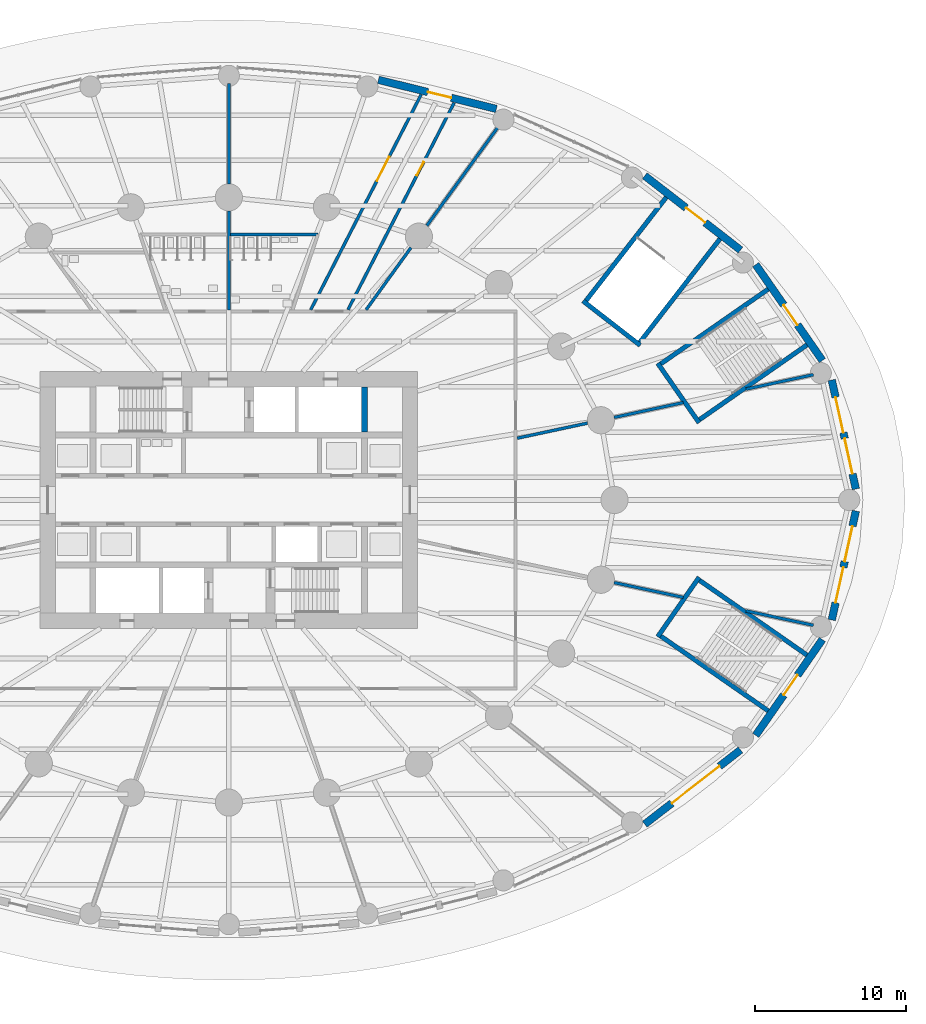
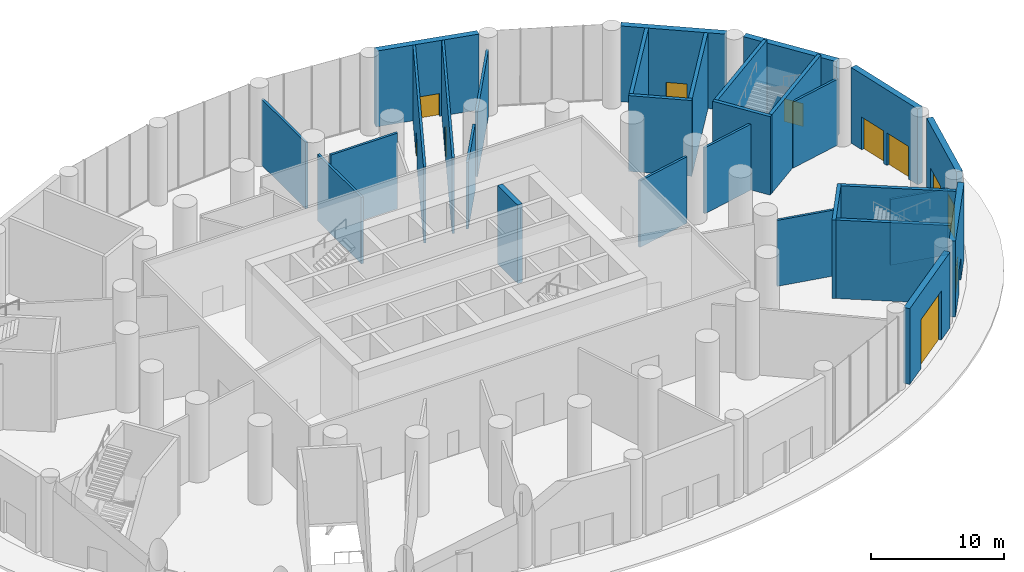
# One storey, part 17 of 22: 29 walls, 11 doors, 11 openings.
"""IFC4 building model written with IfcOpenShell, lengths in metres."""

from ifc_helpers import new_model, si_unit, direction, frame, frame_2d, origin, place, context, subcontext, project, spatial, rectangle, extrude, material, layer, layer_set, type_object, element, fill, save


model = new_model("IFC4")

# Units and contexts
model_context = context("Model", 3, precision=1e-05, world=origin(), true_north=direction((0.0, 1.0)))
body_context = subcontext(model_context, "Body", "Model", "MODEL_VIEW")
ifc_project = project(units=[si_unit("LENGTHUNIT", "METRE"), si_unit("AREAUNIT", "SQUARE_METRE"), si_unit("VOLUMEUNIT", "CUBIC_METRE"), si_unit("PLANEANGLEUNIT", "RADIAN"), si_unit("MASSUNIT", "GRAM", prefix="KILO")], contexts=[model_context])

# Site, building, storey
site_placement = place(None, origin())
site = spatial("IfcSite", under=ifc_project, at=site_placement, CompositionType="ELEMENT")
building_placement = place(site_placement, origin())
building = spatial("IfcBuilding", under=site, at=building_placement, Name="Hankou Lantern Tower", CompositionType="ELEMENT")
storey_placement = place(building_placement, origin())
storey = spatial("IfcBuildingStorey", under=building, at=storey_placement, Name="L00", CompositionType="ELEMENT", Elevation=0.0)

# Walls
ifc_material_1 = material(Name="Concrete C60", Category="concrete")
ifc_layer_1 = layer(ifc_material_1, 0.39990234375)
ifc_layer_set_1 = layer_set([ifc_layer_1], Name="Concrete C60")
wall_type_1 = type_object("IfcWallType", Name="CW4 CORE CROSS WALL 400", PredefinedType="SHEAR", material=ifc_layer_set_1)
wall_1_placement = place(storey_placement, frame((9.0, 4.5, 0.0), z_axis=(0.0, 0.0, 1.0), x_axis=(0.0, 1.0, 0.0)))
element("IfcWall", 1, at=wall_1_placement, inside=storey, type_object=wall_type_1, Name="Core strip wall L00", PredefinedType="SHEAR", context=body_context, shape_type="SweptSolid", body=[
    extrude(rectangle(XDim=3.0, YDim=0.39990234375, at=frame_2d((1.5, 0.0))), origin(), (0.0, 0.0, 1.0), 7.199951171875),
])
ifc_material_2 = material(Name="Concrete C50", Category="concrete")
ifc_layer_2 = layer(ifc_material_2, 0.300048828125)
ifc_layer_set_2 = layer_set([ifc_layer_2], Name="Concrete C50")
wall_type_2 = type_object("IfcWallType", Name="CW7 PODIUM STAIR WALL 300", PredefinedType="SHEAR", material=ifc_layer_set_2)
wall_2_placement = place(storey_placement, frame((38.29931640625, 10.273681640625, 0.0), z_axis=(0.0, 0.0, 1.0), x_axis=(-0.820936803751, -0.571019057692, 0.0)))
element("IfcWall", 2, at=wall_2_placement, inside=storey, type_object=wall_type_2, Name="Podium stair P1 wall", PredefinedType="SHEAR", context=body_context, shape_type="SweptSolid", body=[
    extrude(rectangle(XDim=8.66015625, YDim=0.300048828125, at=frame_2d((4.330078125, 0.0))), origin(), (0.0, 0.0, 1.0), 7.199951171875),
])
wall_3_placement = place(storey_placement, frame((35.7294921875, 13.968017578125, 0.0), z_axis=(0.0, 0.0, 1.0), x_axis=(-0.82092761123, -0.571032273274, 0.0)))
element("IfcWall", 3, at=wall_3_placement, inside=storey, type_object=wall_type_2, Name="Podium stair P1 wall", PredefinedType="SHEAR", context=body_context, shape_type="SweptSolid", body=[
    extrude(rectangle(XDim=8.659912109375, YDim=0.300048828125, at=frame_2d((4.330078125, 0.0))), origin(), (0.0, 0.0, 1.0), 7.199951171875),
])
wall_4_placement = place(storey_placement, frame((31.152587890625, 5.119873046875, 0.0), z_axis=(0.0, 0.0, 1.0), x_axis=(-0.571036173178, 0.820924898467, 0.0)))
element("IfcWall", 4, at=wall_4_placement, inside=storey, type_object=wall_type_2, Name="Podium stair P1 wall", PredefinedType="SHEAR", context=body_context, shape_type="SweptSolid", body=[
    extrude(rectangle(XDim=4.800048828125, YDim=0.300048828125, at=frame_2d((2.39990234375, 0.0))), origin(), (0.0, 0.0, 1.0), 7.199951171875),
])
wall_5_placement = place(storey_placement, frame((35.7294921875, -13.968017578125, 0.0), z_axis=(0.0, 0.0, 1.0), x_axis=(-0.82092761123, 0.571032273274, 0.0)))
element("IfcWall", 5, at=wall_5_placement, inside=storey, type_object=wall_type_2, Name="Podium stair P4 wall", PredefinedType="SHEAR", context=body_context, shape_type="SweptSolid", body=[
    extrude(rectangle(XDim=8.659912109375, YDim=0.300048828125, at=frame_2d((4.330078125, 0.0))), origin(), (0.0, 0.0, 1.0), 7.199951171875),
])
wall_6_placement = place(storey_placement, frame((38.29931640625, -10.273681640625, 0.0), z_axis=(0.0, 0.0, 1.0), x_axis=(-0.820936803751, 0.571019057692, 0.0)))
element("IfcWall", 6, at=wall_6_placement, inside=storey, type_object=wall_type_2, Name="Podium stair P4 wall", PredefinedType="SHEAR", context=body_context, shape_type="SweptSolid", body=[
    extrude(rectangle(XDim=8.66015625, YDim=0.300048828125, at=frame_2d((4.330078125, 0.0))), origin(), (0.0, 0.0, 1.0), 7.199951171875),
])
wall_7_placement = place(storey_placement, frame((28.41162109375, -9.060302734375, 0.0), z_axis=(0.0, 0.0, 1.0), x_axis=(0.571036173178, 0.820924898467, 0.0)))
element("IfcWall", 7, at=wall_7_placement, inside=storey, type_object=wall_type_2, Name="Podium stair P4 wall", PredefinedType="SHEAR", context=body_context, shape_type="SweptSolid", body=[
    extrude(rectangle(XDim=4.800048828125, YDim=0.300048828125, at=frame_2d((2.39990234375, 0.0))), origin(), (0.0, 0.0, 1.0), 7.199951171875),
])
for number, where, z_axis, x_axis, name in (
    (8, (32.53515625, 17.298095703125, 0.0), (0.0, 0.0, 1.0), (-0.612942789742, -0.79012729133, 0.0), "Basement stair BS1 wall"),
    (9, (28.9794921875, 20.056396484375, 0.0), (0.0, 0.0, 1.0), (-0.612925189208, -0.790140944664, 0.0), "Basement stair BS1 wall"),
):
    element("IfcWall", number, at=place(storey_placement, frame(where, z_axis=z_axis, x_axis=x_axis)), inside=storey, type_object=wall_type_2, Name=name, PredefinedType="SHEAR", context=body_context, shape_type="SweptSolid", body=[
        extrude(rectangle(XDim=8.659912109375, YDim=0.300048828125, at=frame_2d((4.330078125, 0.0))), origin(), (0.0, 0.0, 1.0), 6.949951171875),
    ])
wall_8_placement = place(storey_placement, frame((27.253662109375, 10.2451171875, 0.0), z_axis=(0.0, 0.0, 1.0), x_axis=(-0.790115734311, 0.612957687279, 0.0)))
element("IfcWall", 10, at=wall_8_placement, inside=storey, type_object=wall_type_2, Name="Basement stair BS1 wall", PredefinedType="SHEAR", context=body_context, shape_type="SweptSolid", body=[
    extrude(rectangle(XDim=4.7998046875, YDim=0.300048828125, at=frame_2d((2.39990234375, 0.0))), origin(), (0.0, 0.0, 1.0), 6.949951171875),
])

# Wall, openings, doors
ifc_material_3 = material(Name="Granite cladding on reinforced concrete C50", Category="masonry")
ifc_layer_3 = layer(ifc_material_3, 0.5)
ifc_layer_set_3 = layer_set([ifc_layer_3], Name="Granite cladding on reinforced concrete C50")
wall_type_3 = type_object("IfcWallType", Name="EW2 STONE PORTAL WALL 500", PredefinedType="SOLIDWALL", material=ifc_layer_set_3)
wall_9_placement = place(storey_placement, frame((41.5390625, 0.72802734375, 0.0), z_axis=(0.0, 0.0, 1.0), x_axis=(-0.215818853801, 0.976433419309, 0.0)))
wall_9 = element("IfcWall", 11, at=wall_9_placement, inside=storey, type_object=wall_type_3, Name="Portal wall R01 L00", PredefinedType="SOLIDWALL", context=body_context, shape_type="SweptSolid", body=[
    extrude(rectangle(XDim=7.39599609375, YDim=0.5, at=frame_2d((3.697998046875, 0.0))), origin(), (0.0, 0.0, 1.0), 6.949951171875),
])
opening_1_placement = place(wall_9_placement, frame((1.024658203125, 0.0, 0.0)))
opening_1 = element("IfcOpeningElement", 12, at=opening_1_placement, cuts=wall_9, Name="Opening D18", PredefinedType="OPENING", context=body_context, shape_type="SweptSolid", body=[
    extrude(rectangle(XDim=2.39990234375, YDim=3.0, at=frame_2d((1.199951171875, 1.5))), frame((0.0, 0.260009765625, 0.0), z_axis=(0.0, -1.0, 0.0), x_axis=(1.0, 0.0, 0.0)), (0.0, 0.0, 1.0), 0.52001953125),
])
opening_2_placement = place(wall_9_placement, frame((3.824462890625, 0.0, 0.0)))
opening_2 = element("IfcOpeningElement", 13, at=opening_2_placement, cuts=wall_9, Name="Opening D18", PredefinedType="OPENING", context=body_context, shape_type="SweptSolid", body=[
    extrude(rectangle(XDim=2.39990234375, YDim=3.0, at=frame_2d((1.199951171875, 1.5))), frame((0.0, 0.260009765625, 0.0), z_axis=(0.0, -1.0, 0.0), x_axis=(1.0, 0.0, 0.0)), (0.0, 0.0, 1.0), 0.52001953125),
])
ifc_material_4 = material(Name="Aluminium framed glazed door", Category="aluminium")
door_type_1 = type_object("IfcDoorType", Name="D18 ENTRANCE DOOR 2400X3000", OperationType="DOUBLE_DOOR_DOUBLE_SWING", PredefinedType="DOOR", material=ifc_material_4)
door_1_placement = place(opening_1_placement, origin())
door_1 = element("IfcDoor", 14, at=door_1_placement, inside=storey, type_object=door_type_1, Name="Entrance door R01a", OperationType="DOUBLE_DOOR_DOUBLE_SWING", OverallHeight=3.0, OverallWidth=2.39990234375, PredefinedType="DOOR", context=body_context, shape_type="SweptSolid", body=[
    extrude(rectangle(XDim=2.39990234375, YDim=3.0, at=frame_2d((1.199951171875, 1.5))), frame((0.0, 0.02490234375, 0.0), z_axis=(0.0, -1.0, 0.0), x_axis=(1.0, 0.0, 0.0)), (0.0, 0.0, 1.0), 0.050048828125),
])
fill(opening_1, door_1)
door_2_placement = place(opening_2_placement, origin())
door_2 = element("IfcDoor", 15, at=door_2_placement, inside=storey, type_object=door_type_1, Name="Entrance door R01b", OperationType="DOUBLE_DOOR_DOUBLE_SWING", OverallHeight=3.0, OverallWidth=2.39990234375, PredefinedType="DOOR", context=body_context, shape_type="SweptSolid", body=[
    extrude(rectangle(XDim=2.39990234375, YDim=3.0, at=frame_2d((1.199951171875, 1.5))), frame((0.0, 0.02490234375, 0.0), z_axis=(0.0, -1.0, 0.0), x_axis=(1.0, 0.0, 0.0)), (0.0, 0.0, 1.0), 0.050048828125),
])
fill(opening_2, door_2)

# Wall, opening, door
wall_10_placement = place(storey_placement, frame((39.3203125, 9.24365234375, 0.0), z_axis=(0.0, 0.0, 1.0), x_axis=(-0.571029335057, 0.820929655028, 0.0)))
wall_10 = element("IfcWall", 16, at=wall_10_placement, inside=storey, type_object=wall_type_3, Name="Portal wall R02 L00", PredefinedType="SOLIDWALL", context=body_context, shape_type="SweptSolid", body=[
    extrude(rectangle(XDim=7.732666015625, YDim=0.5, at=frame_2d((3.8662109375, 0.0))), origin(), (0.0, 0.0, 1.0), 6.949951171875),
])
opening_3_placement = place(wall_10_placement, frame((2.878662109375, 0.0, 0.0)))
opening_3 = element("IfcOpeningElement", 17, at=opening_3_placement, cuts=wall_10, Name="Opening D21", PredefinedType="OPENING", context=body_context, shape_type="SweptSolid", body=[
    extrude(rectangle(XDim=1.60009765625, YDim=2.10009765625, at=frame_2d((0.800048828125, 1.050048828125))), frame((0.0, 0.260009765625, 0.0), z_axis=(0.0, -1.0, 0.0), x_axis=(1.0, 0.0, 0.0)), (0.0, 0.0, 1.0), 0.52001953125),
])
ifc_material_5 = material(Name="Steel door leaf", Category="steel")
door_type_2 = type_object("IfcDoorType", Name="D21 PODIUM STAIR EXIT DOOR 1600X2100", OperationType="DOUBLE_DOOR_DOUBLE_SWING", PredefinedType="DOOR", material=ifc_material_5)
door_3_placement = place(opening_3_placement, origin())
door_3 = element("IfcDoor", 18, at=door_3_placement, inside=storey, type_object=door_type_2, Name="Podium stair P1 exit door", OperationType="DOUBLE_DOOR_DOUBLE_SWING", OverallHeight=2.10009765625, OverallWidth=1.60009765625, PredefinedType="DOOR", context=body_context, shape_type="SweptSolid", body=[
    extrude(rectangle(XDim=1.60009765625, YDim=2.10009765625, at=frame_2d((0.800048828125, 1.050048828125))), frame((0.0, 0.02490234375, 0.0), z_axis=(0.0, -1.0, 0.0), x_axis=(1.0, 0.0, 0.0)), (0.0, 0.0, 1.0), 0.050048828125),
])
fill(opening_3, door_3)

wall_11_placement = place(storey_placement, frame((33.898681640625, 16.556640625, 0.0), z_axis=(0.0, 0.0, 1.0), x_axis=(-0.790125764434, 0.612944758014, 0.0)))
wall_11 = element("IfcWall", 19, at=wall_11_placement, inside=storey, type_object=wall_type_3, Name="Portal wall R03 L00", PredefinedType="SOLIDWALL", context=body_context, shape_type="SweptSolid", body=[
    extrude(rectangle(XDim=8.031982421875, YDim=0.5, at=frame_2d((4.01611328125, 0.0))), origin(), (0.0, 0.0, 1.0), 6.949951171875),
])
opening_4_placement = place(wall_11_placement, frame((2.9619140625, 0.0, 0.0)))
opening_4 = element("IfcOpeningElement", 20, at=opening_4_placement, cuts=wall_11, Name="Opening D21", PredefinedType="OPENING", context=body_context, shape_type="SweptSolid", body=[
    extrude(rectangle(XDim=1.60009765625, YDim=2.10009765625, at=frame_2d((0.800048828125, 1.050048828125))), frame((0.0, 0.260009765625, 0.0), z_axis=(0.0, -1.0, 0.0), x_axis=(1.0, 0.0, 0.0)), (0.0, 0.0, 1.0), 0.52001953125),
])
door_4_placement = place(opening_4_placement, origin())
door_4 = element("IfcDoor", 21, at=door_4_placement, inside=storey, type_object=door_type_2, Name="Basement stair BS1 exit door", OperationType="DOUBLE_DOOR_DOUBLE_SWING", OverallHeight=2.10009765625, OverallWidth=1.60009765625, PredefinedType="DOOR", context=body_context, shape_type="SweptSolid", body=[
    extrude(rectangle(XDim=1.60009765625, YDim=2.10009765625, at=frame_2d((0.800048828125, 1.050048828125))), frame((0.0, 0.02490234375, 0.0), z_axis=(0.0, -1.0, 0.0), x_axis=(1.0, 0.0, 0.0)), (0.0, 0.0, 1.0), 0.050048828125),
])
fill(opening_4, door_4)

wall_12_placement = place(storey_placement, frame((17.72119140625, 25.908203125, 0.0), z_axis=(0.0, 0.0, 1.0), x_axis=(-0.970964815964, 0.23922233625, 0.0)))
wall_12 = element("IfcWall", 22, at=wall_12_placement, inside=storey, type_object=wall_type_3, Name="Portal wall R05 L00", PredefinedType="SOLIDWALL", context=body_context, shape_type="SweptSolid", body=[
    extrude(rectangle(XDim=8.048095703125, YDim=0.5, at=frame_2d((4.02392578125, 0.0))), origin(), (0.0, 0.0, 1.0), 6.949951171875),
])
opening_5_placement = place(wall_12_placement, frame((3.0751953125, 0.0, 0.0)))
opening_5 = element("IfcOpeningElement", 23, at=opening_5_placement, cuts=wall_12, Name="Opening D46", PredefinedType="OPENING", context=body_context, shape_type="SweptSolid", body=[
    extrude(rectangle(XDim=1.60009765625, YDim=2.10009765625, at=frame_2d((0.800048828125, 1.050048828125))), frame((0.0, 0.260009765625, 0.0), z_axis=(0.0, -1.0, 0.0), x_axis=(1.0, 0.0, 0.0)), (0.0, 0.0, 1.0), 0.52001953125),
])
ifc_material_6 = material(Name="Steel door leaf", Category="steel")
door_type_3 = type_object("IfcDoorType", Name="D46 PROTECTED PASSAGE EXIT DOOR 1600X2100", OperationType="DOUBLE_DOOR_DOUBLE_SWING", PredefinedType="DOOR", material=ifc_material_6)
door_5_placement = place(opening_5_placement, origin())
door_5 = element("IfcDoor", 24, at=door_5_placement, inside=storey, type_object=door_type_3, Name="Protected passage A exit door", OperationType="DOUBLE_DOOR_DOUBLE_SWING", OverallHeight=2.10009765625, OverallWidth=1.60009765625, PredefinedType="DOOR", context=body_context, shape_type="SweptSolid", body=[
    extrude(rectangle(XDim=1.60009765625, YDim=2.10009765625, at=frame_2d((0.800048828125, 1.050048828125))), frame((0.0, 0.02490234375, 0.0), z_axis=(0.0, -1.0, 0.0), x_axis=(1.0, 0.0, 0.0)), (0.0, 0.0, 1.0), 0.050048828125),
])
fill(opening_5, door_5)

wall_13_placement = place(storey_placement, frame((27.552490234375, -21.479736328125, 0.0), z_axis=(0.0, 0.0, 1.0), x_axis=(0.790125764434, 0.612944758014, 0.0)))
wall_13 = element("IfcWall", 25, at=wall_13_placement, inside=storey, type_object=wall_type_3, Name="Portal wall R22 L00", PredefinedType="SOLIDWALL", context=body_context, shape_type="SweptSolid", body=[
    extrude(rectangle(XDim=8.031982421875, YDim=0.5, at=frame_2d((4.01611328125, 0.0))), origin(), (0.0, 0.0, 1.0), 6.949951171875),
])
opening_6_placement = place(wall_13_placement, frame((2.27001953125, 0.0, 0.0)))
opening_6 = element("IfcOpeningElement", 26, at=opening_6_placement, cuts=wall_13, Name="Opening D20", PredefinedType="OPENING", context=body_context, shape_type="SweptSolid", body=[
    extrude(rectangle(XDim=4.0, YDim=4.5, at=frame_2d((2.0, 2.25))), frame((0.0, 0.260009765625, 0.0), z_axis=(0.0, -1.0, 0.0), x_axis=(1.0, 0.0, 0.0)), (0.0, 0.0, 1.0), 0.52001953125),
])
ifc_material_7 = material(Name="Steel roller shutter", Category="steel")
door_type_4 = type_object("IfcDoorType", Name="D20 LOADING BAY ROLLER SHUTTER 4000X4500", OperationType="ROLLINGUP", PredefinedType="DOOR", material=ifc_material_7)
door_6_placement = place(opening_6_placement, origin())
door_6 = element("IfcDoor", 27, at=door_6_placement, inside=storey, type_object=door_type_4, Name="Loading bay roller shutter", OperationType="ROLLINGUP", OverallHeight=4.5, OverallWidth=4.0, PredefinedType="DOOR", context=body_context, shape_type="SweptSolid", body=[
    extrude(rectangle(XDim=4.0, YDim=4.5, at=frame_2d((2.0, 2.25))), frame((0.0, 0.02490234375, 0.0), z_axis=(0.0, -1.0, 0.0), x_axis=(1.0, 0.0, 0.0)), (0.0, 0.0, 1.0), 0.050048828125),
])
fill(opening_6, door_6)

wall_14_placement = place(storey_placement, frame((34.90478515625, -15.591552734375, 0.0), z_axis=(0.0, 0.0, 1.0), x_axis=(0.571029335057, 0.820929655028, 0.0)))
wall_14 = element("IfcWall", 28, at=wall_14_placement, inside=storey, type_object=wall_type_3, Name="Portal wall R23 L00", PredefinedType="SOLIDWALL", context=body_context, shape_type="SweptSolid", body=[
    extrude(rectangle(XDim=7.732666015625, YDim=0.5, at=frame_2d((3.8662109375, 0.0))), origin(), (0.0, 0.0, 1.0), 6.949951171875),
])
opening_7_placement = place(wall_14_placement, frame((3.253662109375, 0.0, 0.0)))
opening_7 = element("IfcOpeningElement", 29, at=opening_7_placement, cuts=wall_14, Name="Opening D21", PredefinedType="OPENING", context=body_context, shape_type="SweptSolid", body=[
    extrude(rectangle(XDim=1.60009765625, YDim=2.10009765625, at=frame_2d((0.800048828125, 1.050048828125))), frame((0.0, 0.260009765625, 0.0), z_axis=(0.0, -1.0, 0.0), x_axis=(1.0, 0.0, 0.0)), (0.0, 0.0, 1.0), 0.52001953125),
])
door_7_placement = place(opening_7_placement, origin())
door_7 = element("IfcDoor", 30, at=door_7_placement, inside=storey, type_object=door_type_2, Name="Podium stair P4 exit door", OperationType="DOUBLE_DOOR_DOUBLE_SWING", OverallHeight=2.10009765625, OverallWidth=1.60009765625, PredefinedType="DOOR", context=body_context, shape_type="SweptSolid", body=[
    extrude(rectangle(XDim=1.60009765625, YDim=2.10009765625, at=frame_2d((0.800048828125, 1.050048828125))), frame((0.0, 0.02490234375, 0.0), z_axis=(0.0, -1.0, 0.0), x_axis=(1.0, 0.0, 0.0)), (0.0, 0.0, 1.0), 0.050048828125),
])
fill(opening_7, door_7)

# Wall, openings, doors
wall_15_placement = place(storey_placement, frame((39.94287109375, -7.94970703125, 0.0), z_axis=(0.0, 0.0, 1.0), x_axis=(0.215818853801, 0.976433419309, 0.0)))
wall_15 = element("IfcWall", 31, at=wall_15_placement, inside=storey, type_object=wall_type_3, Name="Portal wall R24 L00", PredefinedType="SOLIDWALL", context=body_context, shape_type="SweptSolid", body=[
    extrude(rectangle(XDim=7.39599609375, YDim=0.5, at=frame_2d((3.697998046875, 0.0))), origin(), (0.0, 0.0, 1.0), 6.949951171875),
])
opening_8_placement = place(wall_15_placement, frame((1.17138671875, 0.0, 0.0)))
opening_8 = element("IfcOpeningElement", 32, at=opening_8_placement, cuts=wall_15, Name="Opening D18", PredefinedType="OPENING", context=body_context, shape_type="SweptSolid", body=[
    extrude(rectangle(XDim=2.39990234375, YDim=3.0, at=frame_2d((1.199951171875, 1.5))), frame((0.0, 0.260009765625, 0.0), z_axis=(0.0, -1.0, 0.0), x_axis=(1.0, 0.0, 0.0)), (0.0, 0.0, 1.0), 0.52001953125),
])
opening_9_placement = place(wall_15_placement, frame((3.971435546875, 0.0, 0.0)))
opening_9 = element("IfcOpeningElement", 33, at=opening_9_placement, cuts=wall_15, Name="Opening D18", PredefinedType="OPENING", context=body_context, shape_type="SweptSolid", body=[
    extrude(rectangle(XDim=2.39990234375, YDim=3.0, at=frame_2d((1.199951171875, 1.5))), frame((0.0, 0.260009765625, 0.0), z_axis=(0.0, -1.0, 0.0), x_axis=(1.0, 0.0, 0.0)), (0.0, 0.0, 1.0), 0.52001953125),
])
door_8_placement = place(opening_8_placement, origin())
door_8 = element("IfcDoor", 34, at=door_8_placement, inside=storey, type_object=door_type_1, Name="Entrance door R24a", OperationType="DOUBLE_DOOR_DOUBLE_SWING", OverallHeight=3.0, OverallWidth=2.39990234375, PredefinedType="DOOR", context=body_context, shape_type="SweptSolid", body=[
    extrude(rectangle(XDim=2.39990234375, YDim=3.0, at=frame_2d((1.199951171875, 1.5))), frame((0.0, 0.02490234375, 0.0), z_axis=(0.0, -1.0, 0.0), x_axis=(1.0, 0.0, 0.0)), (0.0, 0.0, 1.0), 0.050048828125),
])
fill(opening_8, door_8)
door_9_placement = place(opening_9_placement, origin())
door_9 = element("IfcDoor", 35, at=door_9_placement, inside=storey, type_object=door_type_1, Name="Entrance door R24b", OperationType="DOUBLE_DOOR_DOUBLE_SWING", OverallHeight=3.0, OverallWidth=2.39990234375, PredefinedType="DOOR", context=body_context, shape_type="SweptSolid", body=[
    extrude(rectangle(XDim=2.39990234375, YDim=3.0, at=frame_2d((1.199951171875, 1.5))), frame((0.0, 0.02490234375, 0.0), z_axis=(0.0, -1.0, 0.0), x_axis=(1.0, 0.0, 0.0)), (0.0, 0.0, 1.0), 0.050048828125),
])
fill(opening_9, door_9)

# Walls
ifc_material_8 = material(Name="Masonry dense concrete block", Category="masonry")
ifc_layer_4 = layer(ifc_material_8, 0.199951171875)
ifc_layer_set_4 = layer_set([ifc_layer_4], Name="Masonry dense concrete block")
wall_type_4 = type_object("IfcWallType", Name="FW1 COMPARTMENT FIRE WALL 200", PredefinedType="PARTITIONING", material=ifc_layer_set_4)
wall_16_placement = place(storey_placement, frame((25.527099609375, -5.471923828125, 0.0), z_axis=(0.0, 0.0, 1.0), x_axis=(0.977787143577, -0.209600338396, 0.0)))
element("IfcWall", 36, at=wall_16_placement, inside=storey, type_object=wall_type_4, Name="Fire wall R24", PredefinedType="PARTITIONING", context=body_context, shape_type="SweptSolid", body=[
    extrude(rectangle(XDim=4.68017578125, YDim=0.199951171875, at=frame_2d((2.340087890625, 0.0))), origin(), (0.0, 0.0, 1.0), 6.050048828125),
])
wall_17_placement = place(storey_placement, frame((34.263427734375, -7.3447265625, 0.0), z_axis=(0.0, 0.0, 1.0), x_axis=(0.977794589892, -0.209565598271, 0.0)))
element("IfcWall", 37, at=wall_17_placement, inside=storey, type_object=wall_type_4, Name="Fire wall R24", PredefinedType="PARTITIONING", context=body_context, shape_type="SweptSolid", body=[
    extrude(rectangle(XDim=4.566650390625, YDim=0.199951171875, at=frame_2d((2.283203125, 0.0))), origin(), (0.0, 0.0, 1.0), 6.050048828125),
])
ifc_material_9 = material(Name="Masonry lightweight concrete block", Category="masonry")
ifc_layer_5 = layer(ifc_material_9, 0.199951171875)
ifc_layer_set_5 = layer_set([ifc_layer_5], Name="Masonry lightweight concrete block")
wall_type_5 = type_object("IfcWallType", Name="IW8 PARTITION 200", PredefinedType="PARTITIONING", material=ifc_layer_set_5)
wall_18_placement = place(storey_placement, frame((9.09326171875, 12.60009765625, 0.0), z_axis=(0.0, 0.0, 1.0), x_axis=(0.58522538525, 0.810870673079, 0.0)))
element("IfcWall", 38, at=wall_18_placement, inside=storey, type_object=wall_type_5, Name="Partition R05", PredefinedType="PARTITIONING", context=body_context, shape_type="SweptSolid", body=[
    extrude(rectangle(XDim=5.07666015625, YDim=0.199951171875, at=frame_2d((2.538330078125, 0.0))), origin(), (0.0, 0.0, 1.0), 6.10009765625),
])
wall_19_placement = place(storey_placement, frame((13.11767578125, 18.17626953125, 0.0), z_axis=(0.0, 0.0, 1.0), x_axis=(0.585204349301, 0.810885854828, 0.0)))
element("IfcWall", 39, at=wall_19_placement, inside=storey, type_object=wall_type_5, Name="Partition R05", PredefinedType="PARTITIONING", context=body_context, shape_type="SweptSolid", body=[
    extrude(rectangle(XDim=8.1611328125, YDim=0.199951171875, at=frame_2d((4.08056640625, 0.0))), origin(), (0.0, 0.0, 1.0), 6.050048828125),
])
wall_20_placement = place(storey_placement, frame((0.0, 12.60009765625, 0.0), z_axis=(0.0, 0.0, 1.0), x_axis=(0.0, 1.0, 0.0)))
element("IfcWall", 40, at=wall_20_placement, inside=storey, type_object=wall_type_5, Name="Partition R07", PredefinedType="PARTITIONING", context=body_context, shape_type="SweptSolid", body=[
    extrude(rectangle(XDim=6.5498046875, YDim=0.199951171875, at=frame_2d((3.27490234375, 0.0))), origin(), (0.0, 0.0, 1.0), 6.10009765625),
])
wall_21_placement = place(storey_placement, frame((0.0, 20.949951171875, 0.0), z_axis=(0.0, 0.0, 1.0), x_axis=(0.0, 1.0, 0.0)))
element("IfcWall", 41, at=wall_21_placement, inside=storey, type_object=wall_type_5, Name="Partition R07", PredefinedType="PARTITIONING", context=body_context, shape_type="SweptSolid", body=[
    extrude(rectangle(XDim=6.650146484375, YDim=0.199951171875, at=frame_2d((3.3251953125, 0.0))), origin(), (0.0, 0.0, 1.0), 6.050048828125),
])
wall_22_placement = place(storey_placement, frame((5.894775390625, 17.60009765625, 0.0), z_axis=(0.0, 0.0, 1.0), x_axis=(-1.0, 0.0, 0.0)))
element("IfcWall", 42, at=wall_22_placement, inside=storey, type_object=wall_type_5, Name="Partition WC back wall", PredefinedType="PARTITIONING", context=body_context, shape_type="SweptSolid", body=[
    extrude(rectangle(XDim=5.794677734375, YDim=0.199951171875, at=frame_2d((2.8974609375, 0.0))), origin(), (0.0, 0.0, 1.0), 6.949951171875),
])
ifc_material_10 = material(Name="Masonry dense concrete block", Category="masonry")
ifc_layer_6 = layer(ifc_material_10, 0.199951171875)
ifc_layer_set_6 = layer_set([ifc_layer_6], Name="Masonry dense concrete block")
wall_type_6 = type_object("IfcWallType", Name="IW9 2 H FIRE PARTITION 200", PredefinedType="PARTITIONING", material=ifc_layer_set_6)
wall_23_placement = place(storey_placement, frame((19.10009765625, 4.09423828125, 0.0), z_axis=(0.0, 0.0, 1.0), x_axis=(0.977784445586, 0.209612924148, 0.0)))
element("IfcWall", 43, at=wall_23_placement, inside=storey, type_object=wall_type_6, Name="Partition R02", PredefinedType="PARTITIONING", context=body_context, shape_type="SweptSolid", body=[
    extrude(rectangle(XDim=4.77294921875, YDim=0.199951171875, at=frame_2d((2.386474609375, 0.0))), origin(), (0.0, 0.0, 1.0), 6.10009765625),
])
wall_24_placement = place(storey_placement, frame((25.527099609375, 5.471923828125, 0.0), z_axis=(0.0, 0.0, 1.0), x_axis=(0.977787143577, 0.209600338396, 0.0)))
element("IfcWall", 44, at=wall_24_placement, inside=storey, type_object=wall_type_6, Name="Partition R02", PredefinedType="PARTITIONING", context=body_context, shape_type="SweptSolid", body=[
    extrude(rectangle(XDim=4.68017578125, YDim=0.199951171875, at=frame_2d((2.340087890625, 0.0))), origin(), (0.0, 0.0, 1.0), 6.050048828125),
])
wall_25_placement = place(storey_placement, frame((34.263427734375, 7.3447265625, 0.0), z_axis=(0.0, 0.0, 1.0), x_axis=(0.977794589892, 0.209565598271, 0.0)))
element("IfcWall", 45, at=wall_25_placement, inside=storey, type_object=wall_type_6, Name="Partition R02", PredefinedType="PARTITIONING", context=body_context, shape_type="SweptSolid", body=[
    extrude(rectangle(XDim=4.566650390625, YDim=0.199951171875, at=frame_2d((2.283203125, 0.0))), origin(), (0.0, 0.0, 1.0), 6.050048828125),
])

# Wall, opening, door
wall_26_placement = place(storey_placement, frame((5.42431640625, 12.60009765625, 0.0), z_axis=(0.0, 0.0, 1.0), x_axis=(0.456404491308, 0.889772409279, 0.0)))
wall_26 = element("IfcWall", 46, at=wall_26_placement, inside=storey, type_object=wall_type_6, Name="Protected passage A wall", PredefinedType="PARTITIONING", context=body_context, shape_type="SweptSolid", body=[
    extrude(rectangle(XDim=16.024169921875, YDim=0.199951171875, at=frame_2d((8.01220703125, 0.0))), origin(), (0.0, 0.0, 1.0), 6.949951171875),
])
opening_10_placement = place(wall_26_placement, frame((9.60009765625, 0.0, 0.0)))
opening_10 = element("IfcOpeningElement", 47, at=opening_10_placement, cuts=wall_26, Name="Opening D8", PredefinedType="OPENING", context=body_context, shape_type="SweptSolid", body=[
    extrude(rectangle(XDim=1.800048828125, YDim=2.39990234375, at=frame_2d((0.89990234375, 1.199951171875))), frame((0.0, 0.10986328125, 0.0), z_axis=(0.0, -1.0, 0.0), x_axis=(1.0, 0.0, 0.0)), (0.0, 0.0, 1.0), 0.219970703125),
])
ifc_material_11 = material(Name="Steel door leaf", Category="steel")
door_type_5 = type_object("IfcDoorType", Name="D8 DOUBLE DOOR 1800X2400", OperationType="DOUBLE_DOOR_DOUBLE_SWING", PredefinedType="DOOR", material=ifc_material_11)
door_10_placement = place(opening_10_placement, origin())
door_10 = element("IfcDoor", 48, at=door_10_placement, inside=storey, type_object=door_type_5, Name="Retail unit G02 door to protected passage A", OperationType="DOUBLE_DOOR_DOUBLE_SWING", OverallHeight=2.39990234375, OverallWidth=1.800048828125, PredefinedType="DOOR", context=body_context, shape_type="SweptSolid", body=[
    extrude(rectangle(XDim=1.800048828125, YDim=2.39990234375, at=frame_2d((0.89990234375, 1.199951171875))), frame((0.0, 0.02490234375, 0.0), z_axis=(0.0, -1.0, 0.0), x_axis=(1.0, 0.0, 0.0)), (0.0, 0.0, 1.0), 0.050048828125),
])
fill(opening_10, door_10)

wall_27_placement = place(storey_placement, frame((14.926025390625, 26.31884765625, 0.0), z_axis=(0.0, 0.0, 1.0), x_axis=(-0.456399263904, -0.889775090631, 0.0)))
wall_27 = element("IfcWall", 49, at=wall_27_placement, inside=storey, type_object=wall_type_6, Name="Protected passage A wall", PredefinedType="PARTITIONING", context=body_context, shape_type="SweptSolid", body=[
    extrude(rectangle(XDim=15.418212890625, YDim=0.199951171875, at=frame_2d((7.708984375, 0.0))), origin(), (0.0, 0.0, 1.0), 6.949951171875),
])
opening_11_placement = place(wall_27_placement, frame((4.418212890625, 0.0, 0.0)))
opening_11 = element("IfcOpeningElement", 50, at=opening_11_placement, cuts=wall_27, Name="Opening D28", PredefinedType="OPENING", context=body_context, shape_type="SweptSolid", body=[
    extrude(rectangle(XDim=1.0, YDim=2.199951171875, at=frame_2d((0.5, 1.10009765625))), frame((0.0, 0.10986328125, 0.0), z_axis=(0.0, -1.0, 0.0), x_axis=(1.0, 0.0, 0.0)), (0.0, 0.0, 1.0), 0.219970703125),
])
ifc_material_12 = material(Name="Steel door leaf", Category="steel")
door_type_6 = type_object("IfcDoorType", Name="D28 SERVICE DOOR 1000X2200", OperationType="SINGLE_SWING_LEFT", PredefinedType="DOOR", material=ifc_material_12)
door_11_placement = place(opening_11_placement, origin())
door_11 = element("IfcDoor", 51, at=door_11_placement, inside=storey, type_object=door_type_6, Name="Retail unit G05 door to protected passage A", OperationType="SINGLE_SWING_LEFT", OverallHeight=2.199951171875, OverallWidth=1.0, PredefinedType="DOOR", context=body_context, shape_type="SweptSolid", body=[
    extrude(rectangle(XDim=1.0, YDim=2.199951171875, at=frame_2d((0.5, 1.10009765625))), frame((0.0, 0.02490234375, 0.0), z_axis=(0.0, -1.0, 0.0), x_axis=(1.0, 0.0, 0.0)), (0.0, 0.0, 1.0), 0.050048828125),
])
fill(opening_11, door_11)

save(model, "model.ifc")
